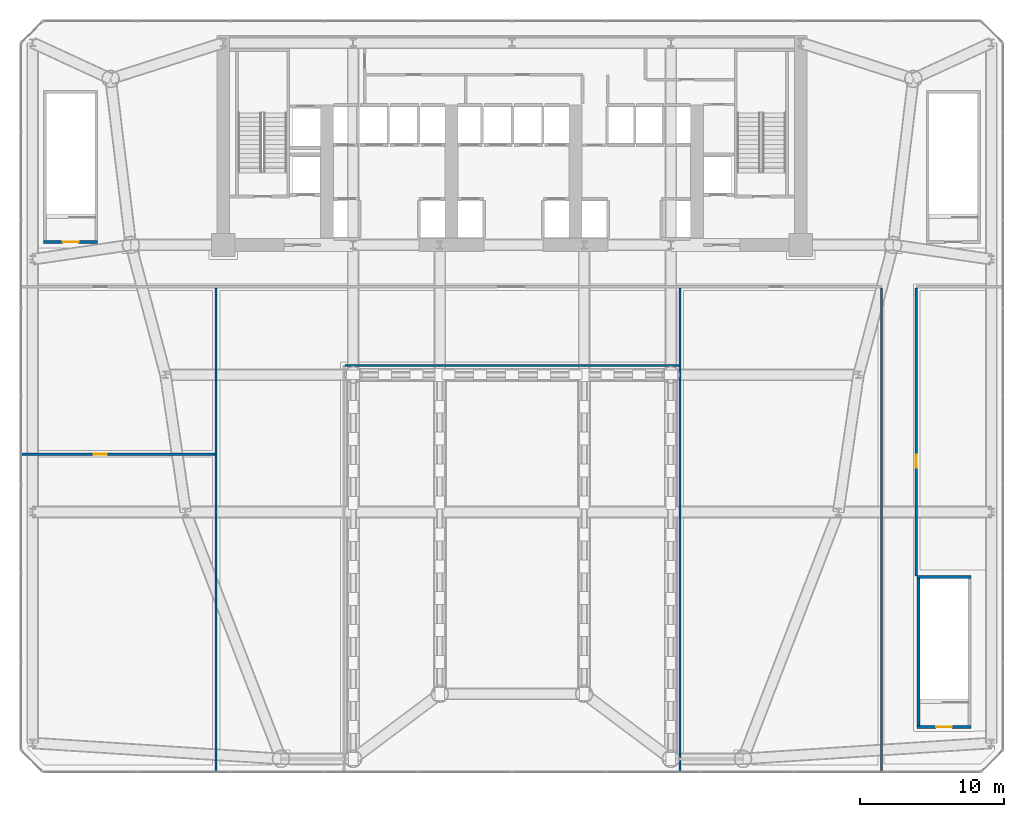
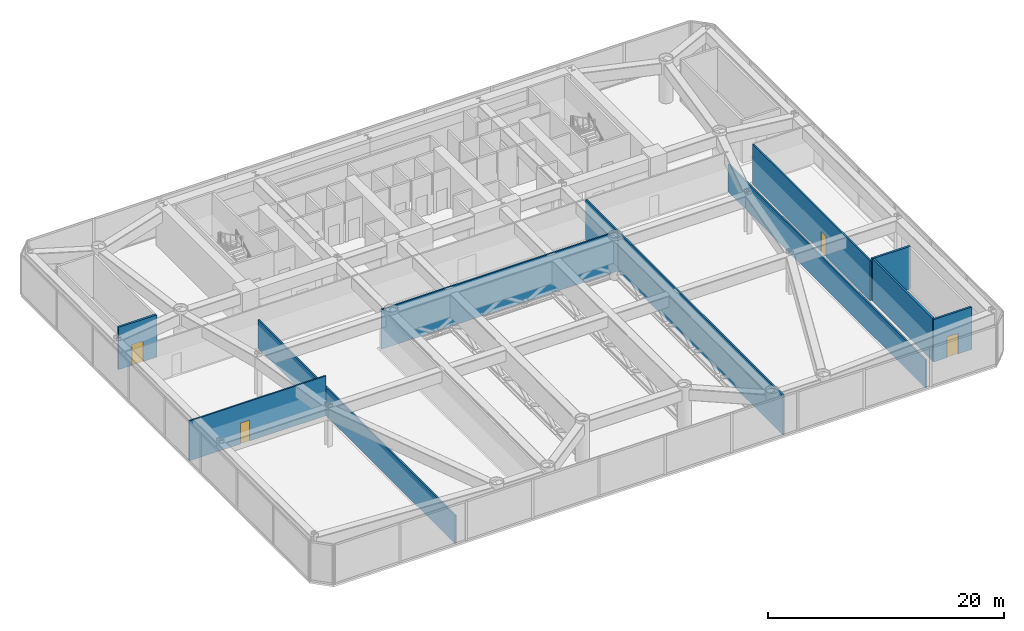
# One storey, part 14 of 21: 10 walls, 4 doors, 4 openings.
"""IFC4 building model written with IfcOpenShell, lengths in metres."""

from ifc_helpers import new_model, si_unit, direction, frame, frame_2d, origin, place, context, subcontext, project, spatial, rectangle, extrude, source, transform, mapped, material, layer, layer_set, type_object, element, fill, save


model = new_model("IFC4")

# Units and contexts
model_context = context("Model", 3, precision=1e-05, world=origin(), true_north=direction((0.0, 1.0)))
body_context = subcontext(model_context, "Body", "Model", "MODEL_VIEW")
ifc_project = project(units=[si_unit("LENGTHUNIT", "METRE"), si_unit("AREAUNIT", "SQUARE_METRE"), si_unit("VOLUMEUNIT", "CUBIC_METRE"), si_unit("PLANEANGLEUNIT", "RADIAN"), si_unit("MASSUNIT", "GRAM", prefix="KILO")], contexts=[model_context])

# Site, building, storey
site_placement = place(None, origin())
site = spatial("IfcSite", under=ifc_project, at=site_placement, CompositionType="ELEMENT")
building_placement = place(site_placement, origin())
building = spatial("IfcBuilding", under=site, at=building_placement, Name="Vaeldorn Concourse Tower", CompositionType="ELEMENT")
storey_placement = place(building_placement, frame((0.0, 0.0, 14.39990234375)))
storey = spatial("IfcBuildingStorey", under=building, at=storey_placement, Name="L03", CompositionType="ELEMENT", Elevation=14.39990234375)

# Wall
ifc_material_1 = material(Name="Gypsum Board Partition", Category="gypsum")
ifc_layer_1 = layer(ifc_material_1, 0.14990234375)
ifc_layer_set_1 = layer_set([ifc_layer_1], Name="Gypsum Board Partition")
wall_type_1 = type_object("IfcWallType", Name="WL-PART-150", PredefinedType="PARTITIONING", material=ifc_layer_set_1)
wall_1_placement = place(storey_placement, frame((59.60009765625, 0.0400390625, 0.0), z_axis=(0.0, 0.0, 1.0), x_axis=(0.0, 1.0, 0.0)))
element("IfcWall", 1, at=wall_1_placement, inside=storey, type_object=wall_type_1, Name="Interior Wall PW-L03-SPW", PredefinedType="PARTITIONING", context=body_context, shape_type="SweptSolid", body=[
    extrude(rectangle(XDim=33.47998046875, YDim=0.14990234375, at=frame_2d((16.739990234375, 0.0))), origin(), (0.0, 0.0, 1.0), 2.91015625),
])

# Wall, opening, door
wall_2_placement = place(storey_placement, frame((62.0, 13.550048828125, 0.0), z_axis=(0.0, 0.0, 1.0), x_axis=(0.0, 1.0, 0.0)))
wall_2 = element("IfcWall", 2, at=wall_2_placement, inside=storey, type_object=wall_type_1, Name="Interior Wall PW-L03-SPE", PredefinedType="PARTITIONING", context=body_context, shape_type="SweptSolid", body=[
    extrude(rectangle(XDim=19.969970703125, YDim=0.14990234375, at=frame_2d((9.98486328125, 0.0))), origin(), (0.0, 0.0, 1.0), 4.1201171875),
])
opening_1_placement = place(wall_2_placement, frame((7.5, 0.0, 0.0)))
opening_1 = element("IfcOpeningElement", 3, at=opening_1_placement, cuts=wall_2, Name="Opening D-03", PredefinedType="OPENING", context=body_context, shape_type="SweptSolid", body=[
    extrude(rectangle(XDim=0.89990234375, YDim=2.14990234375, at=frame_2d((0.449951171875, 1.074951171875))), frame((0.0, 0.0849609375, 0.0), z_axis=(0.0, -1.0, 0.0), x_axis=(1.0, 0.0, 0.0)), (0.0, 0.0, 1.0), 0.169921875),
])
ifc_material_2 = material(Name="Acoustic Bronze-Framed Glass Door", Category="glass")
door_type_1 = type_object("IfcDoorType", Name="DR-INT-900", OperationType="NOTDEFINED", PredefinedType="DOOR", material=ifc_material_2)
shared_shape_1 = source(origin(), body_context, "Body", "SweptSolid", [
    extrude(rectangle(XDim=0.89990234375, YDim=2.14990234375, at=frame_2d((0.449951171875, 1.074951171875))), frame((0.0, 0.02490234375, 0.0), z_axis=(0.0, -1.0, 0.0), x_axis=(1.0, 0.0, 0.0)), (0.0, 0.0, 1.0), 0.050048828125),
])
door_1_placement = place(opening_1_placement, origin())
door_1 = element("IfcDoor", 4, at=door_1_placement, inside=storey, type_object=door_type_1, Name="Interior Door DR-L03-BNQ", OperationType="SINGLE_SWING_LEFT", OverallHeight=2.14990234375, OverallWidth=0.89990234375, PredefinedType="DOOR", context=body_context, shape_type="MappedRepresentation", body=[
    mapped(shared_shape_1, transform((0.0, 0.0, 0.0), scale=1.0)),
])
fill(opening_1, door_1)

# Wall
wall_3_placement = place(storey_placement, frame((13.5, 0.0400390625, 0.0), z_axis=(0.0, 0.0, 1.0), x_axis=(0.0, 1.0, 0.0)))
element("IfcWall", 5, at=wall_3_placement, inside=storey, type_object=wall_type_1, Name="Interior Wall PW-L03-W1", PredefinedType="PARTITIONING", context=body_context, shape_type="SweptSolid", body=[
    extrude(rectangle(XDim=33.47998046875, YDim=0.14990234375, at=frame_2d((16.739990234375, 0.0))), origin(), (0.0, 0.0, 1.0), 2.91015625),
])

# Wall, opening, door
wall_4_placement = place(storey_placement, frame((0.0400390625, 22.0, 0.0), z_axis=(0.0, 0.0, 1.0), x_axis=(1.0, 0.0, 0.0)))
wall_4 = element("IfcWall", 6, at=wall_4_placement, inside=storey, type_object=wall_type_1, Name="Interior Wall PW-L03-W2", PredefinedType="PARTITIONING", context=body_context, shape_type="SweptSolid", body=[
    extrude(rectangle(XDim=13.3798828125, YDim=0.14990234375, at=frame_2d((6.68994140625, 0.0))), origin(), (0.0, 0.0, 1.0), 4.1201171875),
])
opening_2_placement = place(wall_4_placement, frame((5.0, 0.0, 0.0)))
opening_2 = element("IfcOpeningElement", 7, at=opening_2_placement, cuts=wall_4, Name="Opening D-03", PredefinedType="OPENING", context=body_context, shape_type="SweptSolid", body=[
    extrude(rectangle(XDim=0.89990234375, YDim=2.14990234375, at=frame_2d((0.449951171875, 1.074951171875))), frame((0.0, 0.0849609375, 0.0), z_axis=(0.0, -1.0, 0.0), x_axis=(1.0, 0.0, 0.0)), (0.0, 0.0, 1.0), 0.169921875),
])
door_2_placement = place(opening_2_placement, origin())
door_2 = element("IfcDoor", 8, at=door_2_placement, inside=storey, type_object=door_type_1, Name="Interior Door DR-L03-KIT", OperationType="SINGLE_SWING_RIGHT", OverallHeight=2.14990234375, OverallWidth=0.89990234375, PredefinedType="DOOR", context=body_context, shape_type="MappedRepresentation", body=[
    mapped(shared_shape_1, transform((0.0, 0.0, 0.0), scale=1.0)),
])
fill(opening_2, door_2)

# Walls
wall_5_placement = place(storey_placement, frame((45.639892578125, 0.0400390625, 0.0), z_axis=(0.0, 0.0, 1.0), x_axis=(0.0, 1.0, 0.0)))
element("IfcWall", 9, at=wall_5_placement, inside=storey, type_object=wall_type_1, Name="Interior Wall PW-L03-TRE", PredefinedType="PARTITIONING", context=body_context, shape_type="SweptSolid", body=[
    extrude(rectangle(XDim=33.47998046875, YDim=0.14990234375, at=frame_2d((16.739990234375, 0.0))), origin(), (0.0, 0.0, 1.0), 4.1201171875),
])
wall_6_placement = place(storey_placement, frame((22.419921875, 28.139892578125, 0.0), z_axis=(0.0, 0.0, 1.0), x_axis=(1.0, 0.0, 0.0)))
element("IfcWall", 10, at=wall_6_placement, inside=storey, type_object=wall_type_1, Name="Interior Wall PW-L03-TRN", PredefinedType="PARTITIONING", context=body_context, shape_type="SweptSolid", body=[
    extrude(rectangle(XDim=23.16015625, YDim=0.14990234375, at=frame_2d((11.580078125, 0.0))), origin(), (0.0, 0.0, 1.0), 4.1201171875),
])

# Wall, opening, door
ifc_material_3 = material(Name="Concrete C50/60", Category="concrete")
ifc_layer_2 = layer(ifc_material_3, 0.199951171875)
ifc_layer_set_2 = layer_set([ifc_layer_2], Name="Concrete C50/60")
wall_type_2 = type_object("IfcWallType", Name="WL-SHAFT-200", PredefinedType="SOLIDWALL", material=ifc_layer_set_2)
wall_7_placement = place(storey_placement, frame((1.550048828125, 36.699951171875, 0.0), z_axis=(0.0, 0.0, 1.0), x_axis=(1.0, 0.0, 0.0)))
wall_7 = element("IfcWall", 11, at=wall_7_placement, inside=storey, type_object=wall_type_2, Name="Stair Shaft Wall CW-L03-ST-3-S", PredefinedType="SOLIDWALL", context=body_context, shape_type="SweptSolid", body=[
    extrude(rectangle(XDim=3.75, YDim=0.199951171875, at=frame_2d((1.875, 0.0))), origin(), (0.0, 0.0, 1.0), 4.400146484375),
])
opening_3_placement = place(wall_7_placement, frame((1.324951171875, 0.0, 0.0)))
opening_3 = element("IfcOpeningElement", 12, at=opening_3_placement, cuts=wall_7, Name="Opening D-01", PredefinedType="OPENING", context=body_context, shape_type="SweptSolid", body=[
    extrude(rectangle(XDim=1.10009765625, YDim=2.14990234375, at=frame_2d((0.550048828125, 1.074951171875))), frame((0.0, 0.10986328125, 0.0), z_axis=(0.0, -1.0, 0.0), x_axis=(1.0, 0.0, 0.0)), (0.0, 0.0, 1.0), 0.219970703125),
])
ifc_material_4 = material(Name="Fire-Rated Timber and Steel Leaf", Category="steel")
door_type_2 = type_object("IfcDoorType", Name="DR-FD60-1100", OperationType="NOTDEFINED", PredefinedType="DOOR", material=ifc_material_4)
shared_shape_2 = source(origin(), body_context, "Body", "SweptSolid", [
    extrude(rectangle(XDim=1.10009765625, YDim=2.14990234375, at=frame_2d((0.550048828125, 1.074951171875))), frame((0.0, 0.02490234375, 0.0), z_axis=(0.0, -1.0, 0.0), x_axis=(1.0, 0.0, 0.0)), (0.0, 0.0, 1.0), 0.050048828125),
])
door_3_placement = place(opening_3_placement, origin())
door_3 = element("IfcDoor", 13, at=door_3_placement, inside=storey, type_object=door_type_2, Name="Interior Door DR-L03-ST-3", OperationType="SINGLE_SWING_LEFT", OverallHeight=2.14990234375, OverallWidth=1.10009765625, PredefinedType="DOOR", context=body_context, shape_type="MappedRepresentation", body=[
    mapped(shared_shape_2, transform((0.0, 0.0, 0.0), scale=1.0)),
])
fill(opening_3, door_3)

wall_8_placement = place(storey_placement, frame((62.050048828125, 3.10009765625, 0.0), z_axis=(0.0, 0.0, 1.0), x_axis=(1.0, 0.0, 0.0)))
wall_8 = element("IfcWall", 14, at=wall_8_placement, inside=storey, type_object=wall_type_2, Name="Stair Shaft Wall CW-L03-ST-5-S", PredefinedType="SOLIDWALL", context=body_context, shape_type="SweptSolid", body=[
    extrude(rectangle(XDim=3.75, YDim=0.199951171875, at=frame_2d((1.875, 0.0))), origin(), (0.0, 0.0, 1.0), 4.400146484375),
])
opening_4_placement = place(wall_8_placement, frame((1.324951171875, 0.0, 0.0)))
opening_4 = element("IfcOpeningElement", 15, at=opening_4_placement, cuts=wall_8, Name="Opening D-01", PredefinedType="OPENING", context=body_context, shape_type="SweptSolid", body=[
    extrude(rectangle(XDim=1.10009765625, YDim=2.14990234375, at=frame_2d((0.550048828125, 1.074951171875))), frame((0.0, 0.10986328125, 0.0), z_axis=(0.0, -1.0, 0.0), x_axis=(1.0, 0.0, 0.0)), (0.0, 0.0, 1.0), 0.219970703125),
])
door_4_placement = place(opening_4_placement, origin())
door_4 = element("IfcDoor", 16, at=door_4_placement, inside=storey, type_object=door_type_2, Name="Interior Door DR-L03-ST-5", OperationType="SINGLE_SWING_RIGHT", OverallHeight=2.14990234375, OverallWidth=1.10009765625, PredefinedType="DOOR", context=body_context, shape_type="MappedRepresentation", body=[
    mapped(shared_shape_2, transform((0.0, 0.0, 0.0), scale=1.0)),
])
fill(opening_4, door_4)

# Walls
wall_9_placement = place(storey_placement, frame((62.050048828125, 13.5, 0.0), z_axis=(0.0, 0.0, 1.0), x_axis=(1.0, 0.0, 0.0)))
element("IfcWall", 17, at=wall_9_placement, inside=storey, type_object=wall_type_2, Name="Stair Shaft Wall CW-L03-ST-5-N", PredefinedType="SOLIDWALL", context=body_context, shape_type="SweptSolid", body=[
    extrude(rectangle(XDim=3.75, YDim=0.199951171875, at=frame_2d((1.875, 0.0))), origin(), (0.0, 0.0, 1.0), 4.400146484375),
])
wall_10_placement = place(storey_placement, frame((62.14990234375, 3.2099609375, 0.0), z_axis=(0.0, 0.0, 1.0), x_axis=(0.0, 1.0, 0.0)))
element("IfcWall", 18, at=wall_10_placement, inside=storey, type_object=wall_type_2, Name="Stair Shaft Wall CW-L03-ST-5-W", PredefinedType="SOLIDWALL", context=body_context, shape_type="SweptSolid", body=[
    extrude(rectangle(XDim=10.179931640625, YDim=0.199951171875, at=frame_2d((5.08984375, 0.0))), origin(), (0.0, 0.0, 1.0), 4.400146484375),
])

save(model, "model.ifc")
